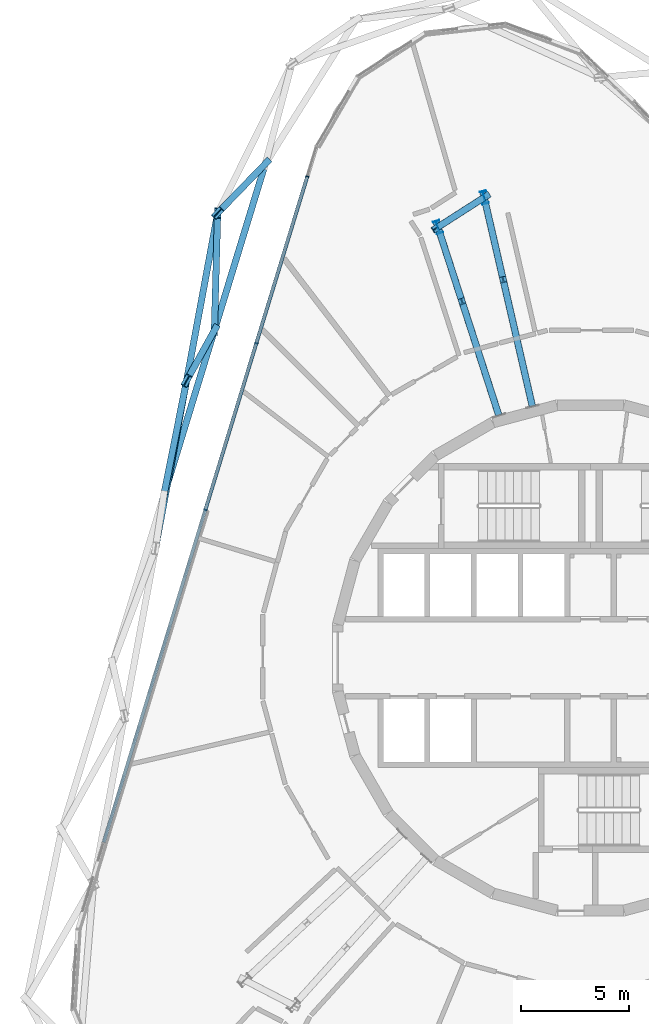
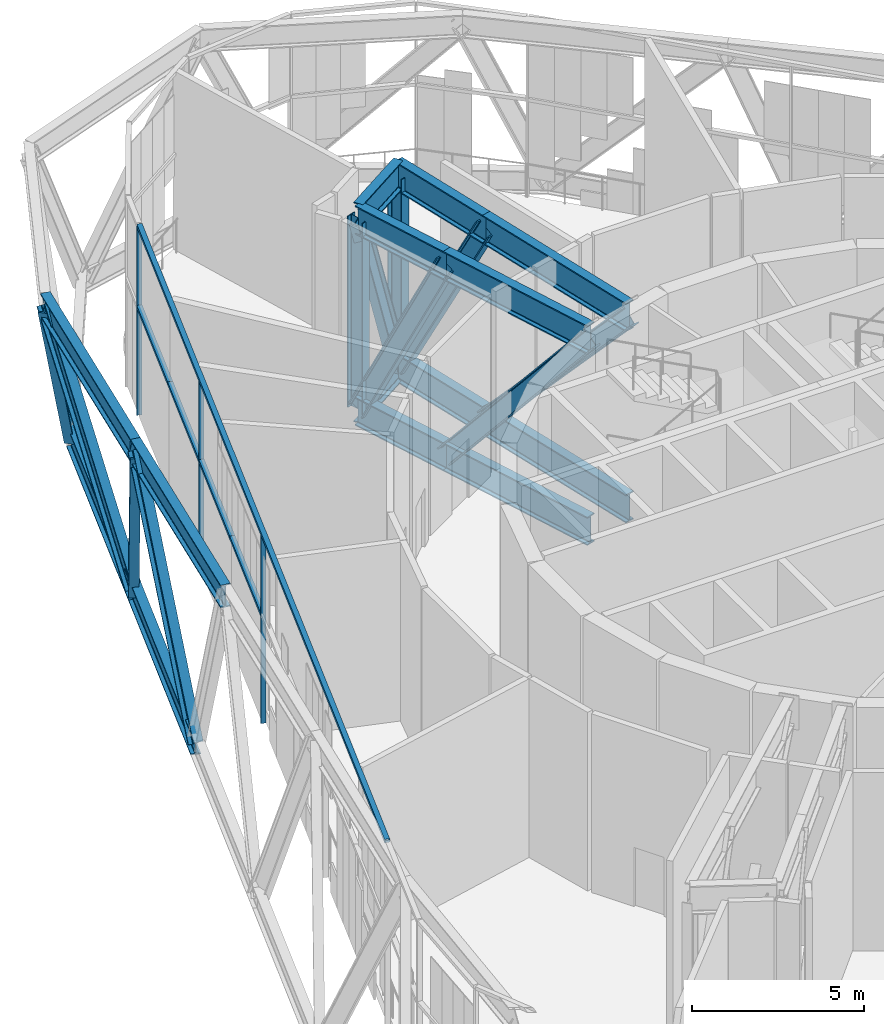
# One storey, part 7 of 25: 33 members, 1 element without a shape of its own.
"""IFC4 building model written with IfcOpenShell, lengths in metres."""

from ifc_helpers import new_model, si_unit, direction, frame, origin, origin_2d, place, context, subcontext, project, spatial, rectangle, i_section, extrude, material, layer, layer_set, material_profile, profile_set, type_object, element, aggregate, save


model = new_model("IFC4")

# Units and contexts
model_context = context("Model", 3, precision=1e-05, world=origin(), true_north=direction((0.0, 1.0)))
body_context = subcontext(model_context, "Body", "Model", "MODEL_VIEW")
ifc_project = project(units=[si_unit("LENGTHUNIT", "METRE"), si_unit("AREAUNIT", "SQUARE_METRE"), si_unit("VOLUMEUNIT", "CUBIC_METRE"), si_unit("PLANEANGLEUNIT", "RADIAN"), si_unit("MASSUNIT", "GRAM", prefix="KILO")], contexts=[model_context])

# Site, building, storey
site_placement = place(None, origin())
site = spatial("IfcSite", under=ifc_project, at=site_placement, CompositionType="ELEMENT")
building_placement = place(site_placement, origin())
building = spatial("IfcBuilding", under=site, at=building_placement, Name="Spindle Arch Residences", CompositionType="ELEMENT")
storey_placement = place(building_placement, frame((0.0, 0.0, 144.89990234375)))
storey = spatial("IfcBuildingStorey", under=building, at=storey_placement, Name="L36", CompositionType="ELEMENT", Elevation=144.89990234375)

# Members
ifc_material_1 = material(Name="Steel S460ML, intumescent coating R 240", Category="steel")
ifc_material_profile_1 = material_profile(ifc_material_1, i_section(OverallWidth=0.302978515625, OverallDepth=0.81396484375, WebThickness=0.02099609375, FlangeThickness=0.0400390625, FilletRadius=0.030029296875, at=origin_2d()), Name="HEM 800")
ifc_profile_set_1 = profile_set([ifc_material_profile_1], Name="Steel S460ML, intumescent coating R 240")
member_type_1 = type_object("IfcMemberType", Name="Belt truss chord HEM 800", PredefinedType="CHORD", material=ifc_profile_set_1)
for number, where, z_axis, x_axis, name in (
    (1, (-14.9873046875, 22.7734375, -0.85693359375), (-0.292393118485, -0.956298208857, 0.0), (0.956298208857, -0.292393118485, 0.0), "Belt truss bottom chord L36.13"),
    (2, (-17.3349609375, 15.09521484375, -0.85693359375), (-0.292365310779, -0.956306710764, 0.0), (0.956306710764, -0.292365310779, 0.0), "Belt truss bottom chord L36.14"),
):
    element("IfcMember", number, at=place(storey_placement, frame(where, z_axis=z_axis, x_axis=x_axis)), inside=storey, type_object=member_type_1, Name=name, PredefinedType="CHORD", context=body_context, shape_type="SweptSolid", body=[
        extrude(i_section(OverallWidth=0.302978515625, OverallDepth=0.81396484375, WebThickness=0.02099609375, FlangeThickness=0.0400390625, FilletRadius=0.030029296875, at=origin_2d()), origin(), (0.0, 0.0, 1.0), 8.029052734375),
    ])
for number, where, z_axis, x_axis, name in (
    (3, (-17.183837890625, 20.505126953125, 5.943115234375), (-0.182232738599, -0.98325542408, 0.0), (0.98325542408, -0.182232738599, 0.0), "Belt truss top chord L36.13"),
    (4, (-18.6162109375, 12.776611328125, 5.943115234375), (-0.182232738599, -0.98325542408, 0.0), (0.98325542408, -0.182232738599, 0.0), "Belt truss top chord L36.14"),
):
    element("IfcMember", number, at=place(storey_placement, frame(where, z_axis=z_axis, x_axis=x_axis)), inside=storey, type_object=member_type_1, Name=name, PredefinedType="CHORD", context=body_context, shape_type="SweptSolid", body=[
        extrude(i_section(OverallWidth=0.302978515625, OverallDepth=0.81396484375, WebThickness=0.02099609375, FlangeThickness=0.0400390625, FilletRadius=0.030029296875, at=origin_2d()), origin(), (0.0, 0.0, 1.0), 7.860107421875),
    ])
ifc_material_2 = material(Name="Steel S460ML, intumescent coating R 240", Category="steel")
ifc_material_profile_2 = material_profile(ifc_material_2, i_section(OverallWidth=0.304931640625, OverallDepth=0.6201171875, WebThickness=0.02099609375, FlangeThickness=0.0400390625, FilletRadius=0.027099609375, at=origin_2d()), Name="HEM 600")
ifc_profile_set_2 = profile_set([ifc_material_profile_2], Name="Steel S460ML, intumescent coating R 240")
member_type_2 = type_object("IfcMemberType", Name="Belt truss diagonal HEM 600", PredefinedType="BRACE", material=ifc_profile_set_2)
member_1_placement = place(storey_placement, frame((-14.9873046875, 22.7734375, -0.85693359375), z_axis=(-0.292973574521, -0.302547235843, 0.906990438051), x_axis=(0.718381487668, -0.69564936439, 0.0)))
element("IfcMember", 5, at=member_1_placement, inside=storey, type_object=member_type_2, Name="Belt truss diagonal L36.13.13", PredefinedType="BRACE", context=body_context, shape_type="SweptSolid", body=[
    extrude(i_section(OverallWidth=0.304931640625, OverallDepth=0.6201171875, WebThickness=0.02099609375, FlangeThickness=0.0400390625, FilletRadius=0.027099609375, at=origin_2d()), origin(), (0.0, 0.0, 1.0), 7.497314453125),
])
member_2_placement = place(storey_placement, frame((-17.3349609375, 15.09521484375, -0.85693359375), z_axis=(0.017388778936, 0.622484575841, 0.782438868671), x_axis=(-0.99961006079, 0.027923580831, 0.0)))
element("IfcMember", 6, at=member_2_placement, inside=storey, type_object=member_type_2, Name="Belt truss diagonal L36.13.14", PredefinedType="BRACE", context=body_context, shape_type="SweptSolid", body=[
    extrude(i_section(OverallWidth=0.304931640625, OverallDepth=0.6201171875, WebThickness=0.02099609375, FlangeThickness=0.0400390625, FilletRadius=0.027099609375, at=origin_2d()), origin(), (0.0, 0.0, 1.0), 8.69091796875),
])
member_3_placement = place(storey_placement, frame((-17.3349609375, 15.09521484375, -0.85693359375), z_axis=(-0.175566109609, -0.317711765046, 0.931791701781), x_axis=(0.87525488259, -0.483661958917, 0.0)))
element("IfcMember", 7, at=member_3_placement, inside=storey, type_object=member_type_2, Name="Belt truss diagonal L36.14.14", PredefinedType="BRACE", context=body_context, shape_type="SweptSolid", body=[
    extrude(i_section(OverallWidth=0.304931640625, OverallDepth=0.6201171875, WebThickness=0.02099609375, FlangeThickness=0.0400390625, FilletRadius=0.027099609375, at=origin_2d()), origin(), (0.0, 0.0, 1.0), 7.2978515625),
])
member_4_placement = place(storey_placement, frame((-19.682373046875, 7.4169921875, -0.85693359375), z_axis=(0.122214486995, 0.614374772841, 0.779491666193), x_axis=(-0.980782914122, 0.195102217737, 0.0)))
element("IfcMember", 8, at=member_4_placement, inside=storey, type_object=member_type_2, Name="Belt truss diagonal L36.14.15", PredefinedType="BRACE", context=body_context, shape_type="SweptSolid", body=[
    extrude(i_section(OverallWidth=0.304931640625, OverallDepth=0.6201171875, WebThickness=0.02099609375, FlangeThickness=0.0400390625, FilletRadius=0.027099609375, at=origin_2d()), origin(), (0.0, 0.0, 1.0), 8.7236328125),
])

# Curtain wall, members
ifc_material_3 = material(Name="Aluminium bronze unitised frame with tinted glass", Category="aluminium")
ifc_layer = layer(ifc_material_3, 0.159912109375)
ifc_layer_set = layer_set([ifc_layer], Name="CW-E double-height winter garden wall")
curtain_wall_type = type_object("IfcCurtainWallType", Name="CW-E double-height winter garden wall", PredefinedType="NOTDEFINED", material=ifc_layer_set)
curtain_wall_placement = place(storey_placement, origin())
curtain_wall = element("IfcCurtainWall", 9, at=curtain_wall_placement, inside=storey, type_object=curtain_wall_type, Name="CW-E L36 run 4", PredefinedType="NOTDEFINED")
ifc_material_4 = material(Name="Aluminium bronze anodised mullion", Category="aluminium")
ifc_material_profile_3 = material_profile(ifc_material_4, rectangle(XDim=0.159912109375, YDim=0.06005859375, at=origin_2d()), Name="MU 60x160")
ifc_profile_set_3 = profile_set([ifc_material_profile_3], Name="Aluminium bronze anodised mullion")
member_type_3 = type_object("IfcMemberType", Name="Bronze mullion 60x160", PredefinedType="MULLION", material=ifc_profile_set_3)
member_5_placement = place(storey_placement, frame((-13.0556640625, 22.182861328125, -0.449951171875), z_axis=(0.0, 0.0, 1.0), x_axis=(0.956304755963, -0.292371704723, 0.0)))
member_5 = element("IfcMember", 10, at=member_5_placement, type_object=member_type_3, Name="CW-E mullion 12", PredefinedType="MULLION", context=body_context, shape_type="SweptSolid", body=[
    extrude(rectangle(XDim=0.159912109375, YDim=0.06005859375, at=origin_2d()), origin(), (0.0, 0.0, 1.0), 6.679931640625),
])
member_6_placement = place(storey_placement, frame((-15.4033203125, 14.504638671875, -0.449951171875), z_axis=(0.0, 0.0, 1.0), x_axis=(0.956304755963, -0.292371704723, 0.0)))
member_6 = element("IfcMember", 11, at=member_6_placement, type_object=member_type_3, Name="CW-E mullion 13", PredefinedType="MULLION", context=body_context, shape_type="SweptSolid", body=[
    extrude(rectangle(XDim=0.159912109375, YDim=0.06005859375, at=origin_2d()), origin(), (0.0, 0.0, 1.0), 6.679931640625),
])
member_7_placement = place(storey_placement, frame((-17.750732421875, 6.826171875, -0.449951171875), z_axis=(0.0, 0.0, 1.0), x_axis=(0.956304755963, -0.292371704723, 0.0)))
member_7 = element("IfcMember", 12, at=member_7_placement, type_object=member_type_3, Name="CW-E mullion 14", PredefinedType="MULLION", context=body_context, shape_type="SweptSolid", body=[
    extrude(rectangle(XDim=0.159912109375, YDim=0.06005859375, at=origin_2d()), origin(), (0.0, 0.0, 1.0), 6.679931640625),
])
ifc_material_5 = material(Name="Aluminium bronze anodised transom", Category="aluminium")
ifc_material_profile_4 = material_profile(ifc_material_5, rectangle(XDim=0.159912109375, YDim=0.1201171875, at=origin_2d()), Name="TR 120x160")
ifc_profile_set_4 = profile_set([ifc_material_profile_4], Name="Aluminium bronze anodised transom")
member_type_4 = type_object("IfcMemberType", Name="Bronze transom 120x160", PredefinedType="USERDEFINED", material=ifc_profile_set_4)
member_8_placement = place(storey_placement, frame((-13.064453125, 22.154296875, 6.2900390625), z_axis=(-0.292373902287, -0.956304084097, 0.0), x_axis=(0.956304084097, -0.292373902287, 0.0)))
member_8 = element("IfcMember", 13, at=member_8_placement, type_object=member_type_4, Name="CW-E transom 00", ObjectType="TRANSOM", PredefinedType="USERDEFINED", context=body_context, shape_type="SweptSolid", body=[
    extrude(rectangle(XDim=0.159912109375, YDim=0.1201171875, at=origin_2d()), origin(), (0.0, 0.0, 1.0), 32.056640625),
])
member_9_placement = place(storey_placement, frame((-13.064453125, 22.154296875, 3.400146484375), z_axis=(-0.292380419107, -0.956302091665, 0.0), x_axis=(0.956302091665, -0.292380419107, 0.0)))
member_9 = element("IfcMember", 14, at=member_9_placement, type_object=member_type_4, Name="CW-E transom 12Am", ObjectType="TRANSOM", PredefinedType="USERDEFINED", context=body_context, shape_type="SweptSolid", body=[
    extrude(rectangle(XDim=0.159912109375, YDim=0.1201171875, at=origin_2d()), origin(), (0.0, 0.0, 1.0), 3.984619140625),
])
member_10_placement = place(storey_placement, frame((-14.2294921875, 18.34375, 3.400146484375), z_axis=(-0.292380419107, -0.956302091665, 0.0), x_axis=(0.956302091665, -0.292380419107, 0.0)))
member_10 = element("IfcMember", 15, at=member_10_placement, type_object=member_type_4, Name="CW-E transom 12Bm", ObjectType="TRANSOM", PredefinedType="USERDEFINED", context=body_context, shape_type="SweptSolid", body=[
    extrude(rectangle(XDim=0.159912109375, YDim=0.1201171875, at=origin_2d()), origin(), (0.0, 0.0, 1.0), 3.984619140625),
])
member_11_placement = place(storey_placement, frame((-15.411865234375, 14.475830078125, 3.400146484375), z_axis=(-0.2923975514, -0.956296853459, 0.0), x_axis=(0.956296853459, -0.2923975514, 0.0)))
member_11 = element("IfcMember", 16, at=member_11_placement, type_object=member_type_4, Name="CW-E transom 13Am", ObjectType="TRANSOM", PredefinedType="USERDEFINED", context=body_context, shape_type="SweptSolid", body=[
    extrude(rectangle(XDim=0.159912109375, YDim=0.1201171875, at=origin_2d()), origin(), (0.0, 0.0, 1.0), 3.984375),
])
member_12_placement = place(storey_placement, frame((-16.576904296875, 10.66552734375, 3.400146484375), z_axis=(-0.292380419107, -0.956302091665, 0.0), x_axis=(0.956302091665, -0.292380419107, 0.0)))
member_12 = element("IfcMember", 17, at=member_12_placement, type_object=member_type_4, Name="CW-E transom 13Bm", ObjectType="TRANSOM", PredefinedType="USERDEFINED", context=body_context, shape_type="SweptSolid", body=[
    extrude(rectangle(XDim=0.159912109375, YDim=0.1201171875, at=origin_2d()), origin(), (0.0, 0.0, 1.0), 3.984619140625),
])
aggregate(curtain_wall, [member_8, member_5, member_9, member_10, member_6, member_11, member_12, member_7])

# Members
ifc_material_6 = material(Name="Steel S460ML, intumescent coating R 240", Category="steel")
ifc_material_profile_5 = material_profile(ifc_material_6, i_section(OverallWidth=0.302001953125, OverallDepth=1.008056640625, WebThickness=0.02099609375, FlangeThickness=0.0400390625, FilletRadius=0.030029296875, at=origin_2d()), Name="HEM 1000")
ifc_profile_set_5 = profile_set([ifc_material_profile_5], Name="Steel S460ML, intumescent coating R 240")
member_type_5 = type_object("IfcMemberType", Name="Transfer truss chord HEM 1000", PredefinedType="CHORD", material=ifc_profile_set_5)
for number, where, z_axis, x_axis, name in (
    (18, (-2.677978515625, 11.599609375, -0.953857421875), (-0.224935210409, 0.97437372251, 0.0), (-0.97437372251, -0.224935210409, 0.0), "Transfer truss chord L36"),
    (19, (-2.677978515625, 11.599609375, 5.84619140625), (-0.224935210409, 0.97437372251, 0.0), (-0.97437372251, -0.224935210409, 0.0), "Transfer truss chord L36"),
):
    element("IfcMember", number, at=place(storey_placement, frame(where, z_axis=z_axis, x_axis=x_axis)), inside=storey, type_object=member_type_5, Name=name, PredefinedType="CHORD", context=body_context, shape_type="SweptSolid", body=[
        extrude(i_section(OverallWidth=0.302001953125, OverallDepth=1.008056640625, WebThickness=0.02099609375, FlangeThickness=0.0400390625, FilletRadius=0.030029296875, at=origin_2d()), origin(), (0.0, 0.0, 1.0), 6.123779296875),
    ])
for number, where, z_axis, x_axis, name in (
    (20, (-4.055419921875, 17.56640625, -0.953857421875), (-0.225002025822, 0.974358295688, 0.0), (-0.974358295688, -0.225002025822, 0.0), "Transfer truss chord L36"),
    (21, (-4.055419921875, 17.56640625, 5.84619140625), (-0.225002025822, 0.974358295688, 0.0), (-0.974358295688, -0.225002025822, 0.0), "Transfer truss chord L36"),
):
    element("IfcMember", number, at=place(storey_placement, frame(where, z_axis=z_axis, x_axis=x_axis)), inside=storey, type_object=member_type_5, Name=name, PredefinedType="CHORD", context=body_context, shape_type="SweptSolid", body=[
        extrude(i_section(OverallWidth=0.302001953125, OverallDepth=1.008056640625, WebThickness=0.02099609375, FlangeThickness=0.0400390625, FilletRadius=0.030029296875, at=origin_2d()), origin(), (0.0, 0.0, 1.0), 3.753173828125),
    ])
for number, where, z_axis, x_axis, name in (
    (22, (-4.89990234375, 21.223388671875, -0.953857421875), (-0.842057694648, -0.539387466376, 0.0), (0.539387466376, -0.842057694648, 0.0), "Transfer truss chord L36"),
    (23, (-4.89990234375, 21.223388671875, 5.84619140625), (-0.842057694648, -0.539387466376, 0.0), (0.539387466376, -0.842057694648, 0.0), "Transfer truss chord L36"),
):
    element("IfcMember", number, at=place(storey_placement, frame(where, z_axis=z_axis, x_axis=x_axis)), inside=storey, type_object=member_type_5, Name=name, PredefinedType="CHORD", context=body_context, shape_type="SweptSolid", body=[
        extrude(i_section(OverallWidth=0.302001953125, OverallDepth=1.008056640625, WebThickness=0.02099609375, FlangeThickness=0.0400390625, FilletRadius=0.030029296875, at=origin_2d()), origin(), (0.0, 0.0, 1.0), 2.531982421875),
    ])
for number, where, z_axis, x_axis, name in (
    (24, (-4.22509765625, 11.184814453125, -0.953857421875), (-0.307908843186, 0.951415862958, 0.0), (-0.951415862958, -0.307908843186, 0.0), "Transfer truss chord L36"),
    (25, (-4.22509765625, 11.184814453125, 5.84619140625), (-0.307908843186, 0.951415862958, 0.0), (-0.951415862958, -0.307908843186, 0.0), "Transfer truss chord L36"),
):
    element("IfcMember", number, at=place(storey_placement, frame(where, z_axis=z_axis, x_axis=x_axis)), inside=storey, type_object=member_type_5, Name=name, PredefinedType="CHORD", context=body_context, shape_type="SweptSolid", body=[
        extrude(i_section(OverallWidth=0.302001953125, OverallDepth=1.008056640625, WebThickness=0.02099609375, FlangeThickness=0.0400390625, FilletRadius=0.030029296875, at=origin_2d()), origin(), (0.0, 0.0, 1.0), 5.65185546875),
    ])
for number, where, z_axis, x_axis, name in (
    (26, (-5.96533203125, 16.56201171875, -0.953857421875), (-0.30792724533, 0.951409907234, 0.0), (-0.951409907234, -0.30792724533, 0.0), "Transfer truss chord L36"),
    (27, (-5.96533203125, 16.56201171875, 5.84619140625), (-0.30792724533, 0.951409907234, 0.0), (-0.951409907234, -0.30792724533, 0.0), "Transfer truss chord L36"),
):
    element("IfcMember", number, at=place(storey_placement, frame(where, z_axis=z_axis, x_axis=x_axis)), inside=storey, type_object=member_type_5, Name=name, PredefinedType="CHORD", context=body_context, shape_type="SweptSolid", body=[
        extrude(i_section(OverallWidth=0.302001953125, OverallDepth=1.008056640625, WebThickness=0.02099609375, FlangeThickness=0.0400390625, FilletRadius=0.030029296875, at=origin_2d()), origin(), (0.0, 0.0, 1.0), 3.4638671875),
    ])
ifc_material_7 = material(Name="Steel S460ML, intumescent coating R 240", Category="steel")
ifc_material_profile_6 = material_profile(ifc_material_7, i_section(OverallWidth=0.304931640625, OverallDepth=0.6201171875, WebThickness=0.02099609375, FlangeThickness=0.0400390625, FilletRadius=0.027099609375, at=origin_2d()), Name="HEM 600")
ifc_profile_set_6 = profile_set([ifc_material_profile_6], Name="Steel S460ML, intumescent coating R 240")
member_type_6 = type_object("IfcMemberType", Name="Transfer truss diagonal HEM 600", PredefinedType="BRACE", material=ifc_profile_set_6)
member_13_placement = place(storey_placement, frame((-4.055419921875, 17.56640625, -0.953857421875), z_axis=(0.150523708018, -0.652038182196, 0.7430940871), x_axis=(0.97437372251, 0.224935210409, 0.0)))
element("IfcMember", 28, at=member_13_placement, inside=storey, type_object=member_type_6, Name="Transfer truss diagonal L36", PredefinedType="BRACE", context=body_context, shape_type="SweptSolid", body=[
    extrude(i_section(OverallWidth=0.304931640625, OverallDepth=0.6201171875, WebThickness=0.02099609375, FlangeThickness=0.0400390625, FilletRadius=0.027099609375, at=origin_2d()), origin(), (0.0, 0.0, 1.0), 9.15087890625),
])
member_14_placement = place(storey_placement, frame((-4.89990234375, 21.223388671875, -0.953857421875), z_axis=(0.108726033255, -0.47083181617, 0.875497601695), x_axis=(0.974358295688, 0.225002025822, 0.0)))
element("IfcMember", 29, at=member_14_placement, inside=storey, type_object=member_type_6, Name="Transfer truss diagonal L36", PredefinedType="BRACE", context=body_context, shape_type="SweptSolid", body=[
    extrude(i_section(OverallWidth=0.304931640625, OverallDepth=0.6201171875, WebThickness=0.02099609375, FlangeThickness=0.0400390625, FilletRadius=0.027099609375, at=origin_2d()), origin(), (0.0, 0.0, 1.0), 7.76708984375),
])
member_15_placement = place(storey_placement, frame((-4.89990234375, 21.223388671875, -0.953857421875), z_axis=(-0.2938309982, -0.188216031596, 0.937143569549), x_axis=(0.539387466376, -0.842057694648, 0.0)))
element("IfcMember", 30, at=member_15_placement, inside=storey, type_object=member_type_6, Name="Transfer truss diagonal L36", PredefinedType="BRACE", context=body_context, shape_type="SweptSolid", body=[
    extrude(i_section(OverallWidth=0.304931640625, OverallDepth=0.6201171875, WebThickness=0.02099609375, FlangeThickness=0.0400390625, FilletRadius=0.027099609375, at=origin_2d()), origin(), (0.0, 0.0, 1.0), 7.256103515625),
])
member_16_placement = place(storey_placement, frame((-5.96533203125, 16.56201171875, -0.953857421875), z_axis=(0.196811585744, -0.608133442203, 0.769050659054), x_axis=(0.951415862958, 0.307908843186, 0.0)))
element("IfcMember", 31, at=member_16_placement, inside=storey, type_object=member_type_6, Name="Transfer truss diagonal L36", PredefinedType="BRACE", context=body_context, shape_type="SweptSolid", body=[
    extrude(i_section(OverallWidth=0.304931640625, OverallDepth=0.6201171875, WebThickness=0.02099609375, FlangeThickness=0.0400390625, FilletRadius=0.027099609375, at=origin_2d()), origin(), (0.0, 0.0, 1.0), 8.842041015625),
])
member_17_placement = place(storey_placement, frame((-7.031982421875, 19.857666015625, -0.953857421875), z_axis=(0.13976948557, -0.431849001077, 0.891050464997), x_axis=(0.951409907234, 0.30792724533, 0.0)))
element("IfcMember", 32, at=member_17_placement, inside=storey, type_object=member_type_6, Name="Transfer truss diagonal L36", PredefinedType="BRACE", context=body_context, shape_type="SweptSolid", body=[
    extrude(i_section(OverallWidth=0.304931640625, OverallDepth=0.6201171875, WebThickness=0.02099609375, FlangeThickness=0.0400390625, FilletRadius=0.027099609375, at=origin_2d()), origin(), (0.0, 0.0, 1.0), 7.631591796875),
])
ifc_material_8 = material(Name="Steel S460ML, intumescent coating R 240", Category="steel")
ifc_material_profile_7 = material_profile(ifc_material_8, i_section(OverallWidth=0.300048828125, OverallDepth=0.60009765625, WebThickness=0.015380859375, FlangeThickness=0.030029296875, FilletRadius=0.027099609375, at=origin_2d()), Name="HEB 600")
ifc_profile_set_7 = profile_set([ifc_material_profile_7], Name="Steel S460ML, intumescent coating R 240")
member_type_7 = type_object("IfcMemberType", Name="Transfer truss post HEB 600", PredefinedType="POST", material=ifc_profile_set_7)
member_18_placement = place(storey_placement, frame((-4.89990234375, 21.223388671875, -0.449951171875), z_axis=(0.0, 0.0, 1.0), x_axis=(0.974370377277, 0.224949700788, 0.0)))
element("IfcMember", 33, at=member_18_placement, inside=storey, type_object=member_type_7, Name="Transfer truss post L36", PredefinedType="POST", context=body_context, shape_type="SweptSolid", body=[
    extrude(i_section(OverallWidth=0.300048828125, OverallDepth=0.60009765625, WebThickness=0.015380859375, FlangeThickness=0.030029296875, FilletRadius=0.027099609375, at=origin_2d()), origin(), (0.0, 0.0, 1.0), 6.296142578125),
])
member_19_placement = place(storey_placement, frame((-7.031982421875, 19.857666015625, -0.953857421875), z_axis=(0.0, 0.0, 1.0), x_axis=(0.951416371279, 0.307907272506, 0.0)))
element("IfcMember", 34, at=member_19_placement, inside=storey, type_object=member_type_7, Name="Transfer truss post L36", PredefinedType="POST", context=body_context, shape_type="SweptSolid", body=[
    extrude(i_section(OverallWidth=0.300048828125, OverallDepth=0.60009765625, WebThickness=0.015380859375, FlangeThickness=0.030029296875, FilletRadius=0.027099609375, at=origin_2d()), origin(), (0.0, 0.0, 1.0), 6.800048828125),
])

save(model, "model.ifc")
